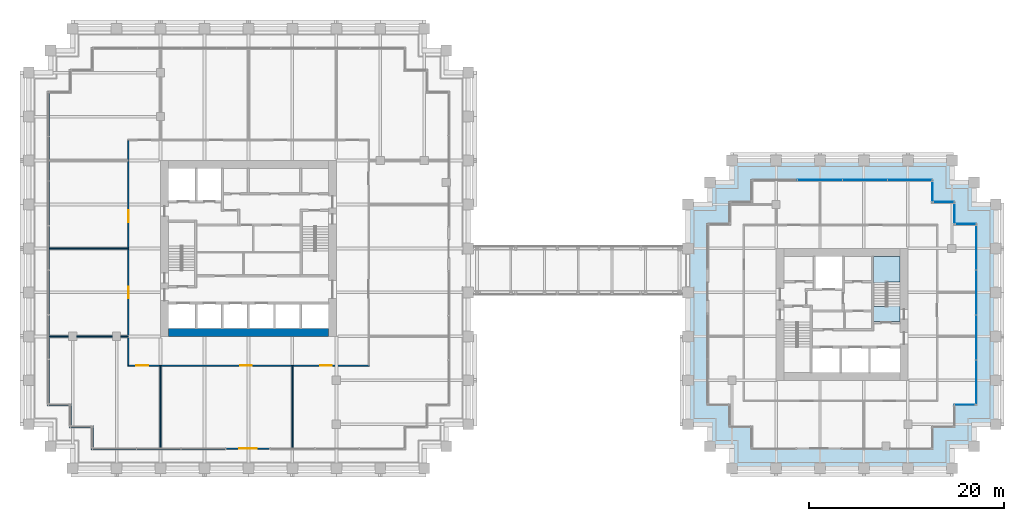
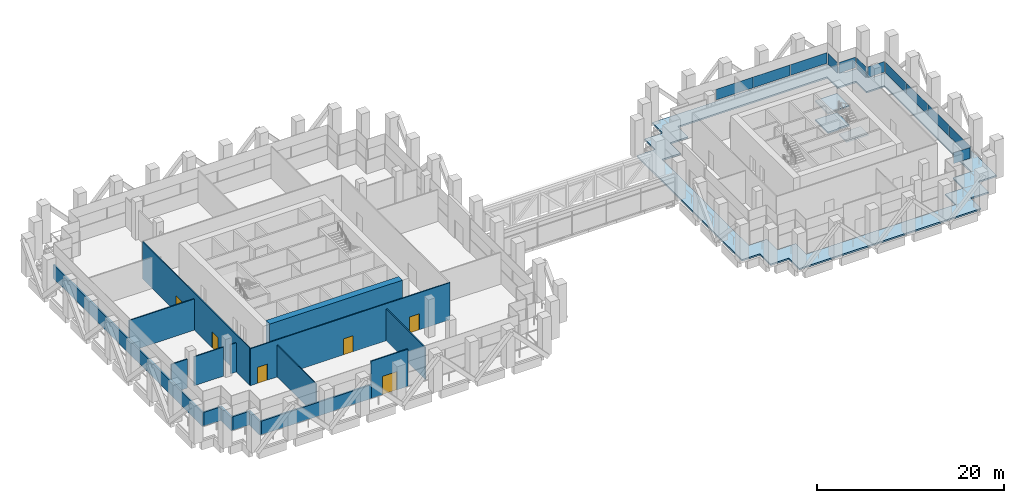
# One storey, part 36 of 44: 16 walls, 12 plates, 6 doors, 4 slabs, 6 openings, 8 elements without a shape of their own.
"""IFC4 building model written with IfcOpenShell, lengths in metres."""

from ifc_helpers import new_model, si_unit, direction, frame, frame_2d, origin, origin_2d, place, context, subcontext, project, spatial, polyline, rectangle, outline, extrude, material, layer, layer_set, type_object, element, fill, aggregate, save


model = new_model("IFC4")

# Units and contexts
model_context = context("Model", 3, precision=1e-05, world=origin(), true_north=direction((0.0, 1.0)))
body_context = subcontext(model_context, "Body", "Model", "MODEL_VIEW")
ifc_project = project(units=[si_unit("LENGTHUNIT", "METRE"), si_unit("AREAUNIT", "SQUARE_METRE"), si_unit("VOLUMEUNIT", "CUBIC_METRE"), si_unit("PLANEANGLEUNIT", "RADIAN"), si_unit("MASSUNIT", "GRAM", prefix="KILO")], contexts=[model_context])

# Site, building, storey
site_placement = place(None, origin())
site = spatial("IfcSite", under=ifc_project, at=site_placement, CompositionType="ELEMENT")
building_placement = place(site_placement, origin())
building = spatial("IfcBuilding", under=site, at=building_placement, Name="Altepetl Exchange Towers", CompositionType="ELEMENT")
storey_placement = place(building_placement, frame((0.0, 0.0, 87.0)))
storey = spatial("IfcBuildingStorey", under=building, at=storey_placement, Name="L21 Refuge", CompositionType="ELEMENT", Elevation=87.0)

# Curtain wall, plate
ifc_material_1 = material(Name="Aluminium 6063-T6 glazing", Category="aluminium")
curtain_wall_type = type_object("IfcCurtainWallType", Name="Refuge slit glazing system", PredefinedType="NOTDEFINED", material=ifc_material_1)
curtain_wall_1_placement = place(storey_placement, origin())
curtain_wall_1 = element("IfcCurtainWall", 1, at=curtain_wall_1_placement, inside=storey, type_object=curtain_wall_type, Name="CW3 run", PredefinedType="NOTDEFINED")
ifc_material_2 = material(Name="Glass 8-20-8 solar control", Category="glass")
ifc_layer_1 = layer(ifc_material_2, 0.035888671875)
ifc_layer_set_1 = layer_set([ifc_layer_1], Name="Glass 8-20-8 solar control")
plate_type = type_object("IfcPlateType", Name="Glass panel 36 double glazed", PredefinedType="CURTAIN_PANEL", material=ifc_layer_set_1)
plate_1_placement = place(storey_placement, frame((122.824951171875, 33.5, 1.800048828125)))
plate_1 = element("IfcPlate", 2, at=plate_1_placement, type_object=plate_type, Name="GP2 panel", PredefinedType="CURTAIN_PANEL", context=body_context, shape_type="SweptSolid", body=[
    extrude(rectangle(XDim=2.030029296875, YDim=0.035888671875, at=origin_2d()), origin(), (0.0, 0.0, 1.0), 1.39990234375),
])
aggregate(curtain_wall_1, [plate_1])

# Curtain wall, plates
curtain_wall_2_placement = place(storey_placement, origin())
curtain_wall_2 = element("IfcCurtainWall", 3, at=curtain_wall_2_placement, inside=storey, type_object=curtain_wall_type, Name="CW3 run", PredefinedType="NOTDEFINED")
plate_2_placement = place(storey_placement, frame((124.0, 35.81494140625, 1.800048828125), z_axis=(0.0, 0.0, 1.0), x_axis=(0.0, 1.0, 0.0)))
plate_2 = element("IfcPlate", 4, at=plate_2_placement, type_object=plate_type, Name="GP2 panel", PredefinedType="CURTAIN_PANEL", context=body_context, shape_type="SweptSolid", body=[
    extrude(rectangle(XDim=4.510009765625, YDim=0.035888671875, at=origin_2d()), origin(), (0.0, 0.0, 1.0), 1.39990234375),
])
plate_3_placement = place(storey_placement, frame((124.0, 40.39990234375, 1.800048828125), z_axis=(0.0, 0.0, 1.0), x_axis=(0.0, 1.0, 0.0)))
plate_3 = element("IfcPlate", 5, at=plate_3_placement, type_object=plate_type, Name="GP2 panel", PredefinedType="CURTAIN_PANEL", context=body_context, shape_type="SweptSolid", body=[
    extrude(rectangle(XDim=4.5400390625, YDim=0.035888671875, at=origin_2d()), origin(), (0.0, 0.0, 1.0), 1.39990234375),
])
plate_4_placement = place(storey_placement, frame((124.0, 45.0, 1.800048828125), z_axis=(0.0, 0.0, 1.0), x_axis=(0.0, 1.0, 0.0)))
plate_4 = element("IfcPlate", 6, at=plate_4_placement, type_object=plate_type, Name="GP2 panel", PredefinedType="CURTAIN_PANEL", context=body_context, shape_type="SweptSolid", body=[
    extrude(rectangle(XDim=4.5400390625, YDim=0.035888671875, at=origin_2d()), origin(), (0.0, 0.0, 1.0), 1.39990234375),
])
plate_5_placement = place(storey_placement, frame((124.0, 49.5849609375, 1.800048828125), z_axis=(0.0, 0.0, 1.0), x_axis=(0.0, 1.0, 0.0)))
plate_5 = element("IfcPlate", 7, at=plate_5_placement, type_object=plate_type, Name="GP2 panel", PredefinedType="CURTAIN_PANEL", context=body_context, shape_type="SweptSolid", body=[
    extrude(rectangle(XDim=4.510009765625, YDim=0.035888671875, at=origin_2d()), origin(), (0.0, 0.0, 1.0), 1.39990234375),
])
aggregate(curtain_wall_2, [plate_2, plate_3, plate_4, plate_5])

# Curtain wall, plate
curtain_wall_3_placement = place(storey_placement, origin())
curtain_wall_3 = element("IfcCurtainWall", 8, at=curtain_wall_3_placement, inside=storey, type_object=curtain_wall_type, Name="CW3 run", PredefinedType="NOTDEFINED")
plate_6_placement = place(storey_placement, frame((122.925048828125, 52.0, 1.800048828125), z_axis=(0.0, 0.0, 1.0), x_axis=(-1.0, 0.0, 0.0)))
plate_6 = element("IfcPlate", 9, at=plate_6_placement, type_object=plate_type, Name="GP2 panel", PredefinedType="CURTAIN_PANEL", context=body_context, shape_type="SweptSolid", body=[
    extrude(rectangle(XDim=2.030029296875, YDim=0.035888671875, at=origin_2d()), origin(), (0.0, 0.0, 1.0), 1.39990234375),
])
aggregate(curtain_wall_3, [plate_6])

curtain_wall_4_placement = place(storey_placement, origin())
curtain_wall_4 = element("IfcCurtainWall", 10, at=curtain_wall_4_placement, inside=storey, type_object=curtain_wall_type, Name="CW3 run", PredefinedType="NOTDEFINED")
plate_7_placement = place(storey_placement, frame((121.75, 53.074951171875, 1.800048828125), z_axis=(0.0, 0.0, 1.0), x_axis=(0.0, 1.0, 0.0)))
plate_7 = element("IfcPlate", 11, at=plate_7_placement, type_object=plate_type, Name="GP2 panel", PredefinedType="CURTAIN_PANEL", context=body_context, shape_type="SweptSolid", body=[
    extrude(rectangle(XDim=2.030029296875, YDim=0.035888671875, at=origin_2d()), origin(), (0.0, 0.0, 1.0), 1.39990234375),
])
aggregate(curtain_wall_4, [plate_7])

curtain_wall_5_placement = place(storey_placement, origin())
curtain_wall_5 = element("IfcCurtainWall", 12, at=curtain_wall_5_placement, inside=storey, type_object=curtain_wall_type, Name="CW3 run", PredefinedType="NOTDEFINED")
plate_8_placement = place(storey_placement, frame((120.675048828125, 54.25, 1.800048828125), z_axis=(0.0, 0.0, 1.0), x_axis=(-1.0, 0.0, 0.0)))
plate_8 = element("IfcPlate", 13, at=plate_8_placement, type_object=plate_type, Name="GP2 panel", PredefinedType="CURTAIN_PANEL", context=body_context, shape_type="SweptSolid", body=[
    extrude(rectangle(XDim=2.030029296875, YDim=0.035888671875, at=origin_2d()), origin(), (0.0, 0.0, 1.0), 1.39990234375),
])
aggregate(curtain_wall_5, [plate_8])

curtain_wall_6_placement = place(storey_placement, origin())
curtain_wall_6 = element("IfcCurtainWall", 14, at=curtain_wall_6_placement, inside=storey, type_object=curtain_wall_type, Name="CW3 run", PredefinedType="NOTDEFINED")
plate_9_placement = place(storey_placement, frame((119.5, 55.324951171875, 1.800048828125), z_axis=(0.0, 0.0, 1.0), x_axis=(0.0, 1.0, 0.0)))
plate_9 = element("IfcPlate", 15, at=plate_9_placement, type_object=plate_type, Name="GP2 panel", PredefinedType="CURTAIN_PANEL", context=body_context, shape_type="SweptSolid", body=[
    extrude(rectangle(XDim=2.030029296875, YDim=0.035888671875, at=origin_2d()), origin(), (0.0, 0.0, 1.0), 1.39990234375),
])
aggregate(curtain_wall_6, [plate_9])

# Curtain wall, plates
curtain_wall_7_placement = place(storey_placement, origin())
curtain_wall_7 = element("IfcCurtainWall", 16, at=curtain_wall_7_placement, inside=storey, type_object=curtain_wall_type, Name="CW3 run", PredefinedType="NOTDEFINED")
plate_10_placement = place(storey_placement, frame((117.18505859375, 56.5, 1.800048828125), z_axis=(0.0, 0.0, 1.0), x_axis=(-1.0, 0.0, 0.0)))
plate_10 = element("IfcPlate", 17, at=plate_10_placement, type_object=plate_type, Name="GP2 panel", PredefinedType="CURTAIN_PANEL", context=body_context, shape_type="SweptSolid", body=[
    extrude(rectangle(XDim=4.510009765625, YDim=0.035888671875, at=origin_2d()), origin(), (0.0, 0.0, 1.0), 1.39990234375),
])
plate_11_placement = place(storey_placement, frame((112.60009765625, 56.5, 1.800048828125), z_axis=(0.0, 0.0, 1.0), x_axis=(-1.0, 0.0, 0.0)))
plate_11 = element("IfcPlate", 18, at=plate_11_placement, type_object=plate_type, Name="GP2 panel", PredefinedType="CURTAIN_PANEL", context=body_context, shape_type="SweptSolid", body=[
    extrude(rectangle(XDim=4.5400390625, YDim=0.035888671875, at=origin_2d()), origin(), (0.0, 0.0, 1.0), 1.39990234375),
])
plate_12_placement = place(storey_placement, frame((108.0, 56.5, 1.800048828125), z_axis=(0.0, 0.0, 1.0), x_axis=(-1.0, 0.0, 0.0)))
plate_12 = element("IfcPlate", 19, at=plate_12_placement, type_object=plate_type, Name="GP2 panel", PredefinedType="CURTAIN_PANEL", context=body_context, shape_type="SweptSolid", body=[
    extrude(rectangle(XDim=4.5400390625, YDim=0.035888671875, at=origin_2d()), origin(), (0.0, 0.0, 1.0), 1.39990234375),
])
aggregate(curtain_wall_7, [plate_10, plate_11, plate_12])

# Slab
ifc_material_3 = material(Name="Concrete C40/50", Category="concrete")
ifc_layer_2 = layer(ifc_material_3, 0.199951171875)
ifc_layer_set_2 = layer_set([ifc_layer_2], Name="Concrete C40/50")
slab_type_1 = type_object("IfcSlabType", Name="Loggia slab 200", PredefinedType="FLOOR", material=ifc_layer_set_2)
slab_1_placement = place(storey_placement, frame((0.0, 0.0, -0.199951171875)))
element("IfcSlab", 20, at=slab_1_placement, inside=storey, type_object=slab_type_1, Name="slab:B:L21:loggia0", PredefinedType="FLOOR", context=body_context, shape_type="SweptSolid", body=[
    extrude(outline(polyline([(96.75, 54.0), (94.5, 54.0), (94.5, 36.0), (94.5, 31.5), (96.75, 31.5), (96.75, 29.25), (99.0, 29.25), (99.0, 27.0), (117.0, 27.0), (121.5, 27.0), (121.5, 29.25), (123.75, 29.25), (123.75, 31.5), (126.0, 31.5), (126.0, 49.5), (126.0, 54.0), (123.75, 54.0), (123.75, 56.25), (121.5, 56.25), (121.5, 58.5), (103.5, 58.5), (99.0, 58.5), (99.0, 56.25), (96.75, 56.25), (96.75, 54.0)]), holes=[polyline([(96.5, 52.0), (98.75, 52.0), (98.75, 54.25), (101.0, 54.25), (101.0, 56.5), (119.5, 56.5), (119.5, 54.25), (121.75, 54.25), (121.75, 52.0), (124.0, 52.0), (124.0, 33.5), (121.75, 33.5), (121.75, 31.25), (119.5, 31.25), (119.5, 29.0), (101.0, 29.0), (101.0, 31.25), (98.75, 31.25), (98.75, 33.5), (96.5, 33.5), (96.5, 52.0)])]), origin(), (0.0, 0.0, 1.0), 0.199951171875),
])

# Stair, slabs
stair_type = type_object("IfcStairType", Name="Exit stair 1300 flights dogleg", PredefinedType="HALF_TURN_STAIR", material=ifc_material_3)
stair_placement = place(storey_placement, origin())
stair = element("IfcStair", 21, at=stair_placement, inside=storey, type_object=stair_type, Name="Exit stair 2", PredefinedType="HALF_TURN_STAIR")
ifc_layer_3 = layer(ifc_material_3, 0.199951171875)
ifc_layer_set_3 = layer_set([ifc_layer_3], Name="Concrete C40/50")
slab_type_2 = type_object("IfcSlabType", Name="Stair landing 200 reinforced concrete", PredefinedType="LANDING", material=ifc_layer_set_3)
slab_2_placement = place(storey_placement, frame((0.0, 0.0, 1.050048828125)))
slab_2 = element("IfcSlab", 22, at=slab_2_placement, type_object=slab_type_2, Name="ST-B2c landing 1", PredefinedType="LANDING", context=body_context, shape_type="SweptSolid", body=[
    extrude(outline(polyline([(114.800048828125, 45.969970703125), (113.5, 45.969970703125), (113.5, 46.070068359375), (113.5, 48.699951171875), (116.199951171875, 48.699951171875), (116.199951171875, 46.070068359375), (116.199951171875, 46.0693359375), (114.89990234375, 46.0693359375), (114.89990234375, 46.070068359375), (114.800048828125, 46.070068359375), (114.800048828125, 45.969970703125)])), origin(), (0.0, 0.0, 1.0), 0.199951171875),
])
slab_3_placement = place(storey_placement, frame((0.0, 0.0, 2.300048828125)))
slab_3 = element("IfcSlab", 23, at=slab_3_placement, type_object=slab_type_2, Name="ST-B2c landing 2", PredefinedType="LANDING", context=body_context, shape_type="SweptSolid", body=[
    extrude(outline(polyline([(116.199951171875, 42.0), (113.5, 42.0), (113.5, 43.550048828125), (113.5, 43.55078125), (114.800048828125, 43.55078125), (114.800048828125, 43.550048828125), (114.89990234375, 43.550048828125), (114.89990234375, 43.64990234375), (116.199951171875, 43.64990234375), (116.199951171875, 43.550048828125), (116.199951171875, 42.0)])), origin(), (0.0, 0.0, 1.0), 0.199951171875),
])
slab_4_placement = place(storey_placement, frame((0.0, 0.0, 3.550048828125)))
slab_4 = element("IfcSlab", 24, at=slab_4_placement, type_object=slab_type_2, Name="ST-B2c landing 3", PredefinedType="LANDING", context=body_context, shape_type="SweptSolid", body=[
    extrude(outline(polyline([(114.800048828125, 45.969970703125), (113.5, 45.969970703125), (113.5, 46.070068359375), (113.5, 48.699951171875), (116.199951171875, 48.699951171875), (116.199951171875, 46.070068359375), (116.199951171875, 46.0693359375), (114.89990234375, 46.0693359375), (114.89990234375, 46.070068359375), (114.800048828125, 46.070068359375), (114.800048828125, 45.969970703125)])), origin(), (0.0, 0.0, 1.0), 0.199951171875),
])
aggregate(stair, [slab_2, slab_3, slab_4])

# Wall
ifc_material_4 = material(Name="Concrete C70/85", Category="concrete")
ifc_layer_4 = layer(ifc_material_4, 0.800048828125)
ifc_layer_set_4 = layer_set([ifc_layer_4], Name="Concrete C70/85")
wall_type_1 = type_object("IfcWallType", Name="Core wall 800 reinforced concrete", PredefinedType="SHEAR", material=ifc_layer_set_4)
wall_1_placement = place(storey_placement, frame((41.300048828125, 40.89990234375, 0.0)))
element("IfcWall", 25, at=wall_1_placement, inside=storey, type_object=wall_type_1, Name="wall:A:L21:K-coreS", PredefinedType="SHEAR", context=body_context, shape_type="SweptSolid", body=[
    extrude(rectangle(XDim=16.39990234375, YDim=0.800048828125, at=frame_2d((8.199951171875, 0.0))), origin(), (0.0, 0.0, 1.0), 4.75),
])

# Wall, opening, door
ifc_material_5 = material(Name="Aluminium composite cladding", Category="aluminium")
ifc_layer_5 = layer(ifc_material_5, 0.14990234375)
ifc_layer_set_5 = layer_set([ifc_layer_5], Name="Aluminium composite cladding")
wall_type_2 = type_object("IfcWallType", Name="Infill wall 150 aluminium panel", PredefinedType="SOLIDWALL", material=ifc_layer_set_5)
wall_2_placement = place(storey_placement, frame((47.17138671875, 29.0, 0.0)))
wall_2 = element("IfcWall", 26, at=wall_2_placement, inside=storey, type_object=wall_type_2, Name="Loggia door bay wall", PredefinedType="SOLIDWALL", context=body_context, shape_type="SweptSolid", body=[
    extrude(rectangle(XDim=4.55712890625, YDim=0.14990234375, at=frame_2d((2.278564453125, 0.0))), origin(), (0.0, 0.0, 1.0), 4.85009765625),
])
opening_1_placement = place(wall_2_placement, frame((1.378662109375, 0.0, 0.0)))
opening_1 = element("IfcOpeningElement", 27, at=opening_1_placement, cuts=wall_2, Name="Opening L21.A90", PredefinedType="OPENING", context=body_context, shape_type="SweptSolid", body=[
    extrude(rectangle(XDim=1.800048828125, YDim=2.39990234375, at=frame_2d((0.89990234375, 1.199951171875))), frame((0.0, 0.0849609375, 0.0), z_axis=(0.0, -1.0, 0.0), x_axis=(1.0, 0.0, 0.0)), (0.0, 0.0, 1.0), 0.169921875),
])
ifc_material_6 = material(Name="Aluminium 6063-T6 and glass", Category="aluminium")
door_type_1 = type_object("IfcDoorType", Name="Glazed door pair 1800x2400", OperationType="DOUBLE_DOOR_DOUBLE_SWING", PredefinedType="NOTDEFINED", material=ifc_material_6)
door_1_placement = place(opening_1_placement, frame((1.800048828125, 0.0, 0.0), x_axis=(-1.0, 0.0, 0.0)))
door_1 = element("IfcDoor", 28, at=door_1_placement, inside=storey, type_object=door_type_1, Name="Loggia door", OperationType="DOUBLE_DOOR_DOUBLE_SWING", OverallHeight=2.39990234375, OverallWidth=1.800048828125, PredefinedType="NOTDEFINED", context=body_context, shape_type="SweptSolid", body=[
    extrude(rectangle(XDim=1.800048828125, YDim=2.39990234375, at=frame_2d((0.89990234375, 1.199951171875))), frame((0.0, 0.02490234375, 0.0), z_axis=(0.0, -1.0, 0.0), x_axis=(1.0, 0.0, 0.0)), (0.0, 0.0, 1.0), 0.050048828125),
])
fill(opening_1, door_1)

# Wall, openings, doors
ifc_material_7 = material(Name="Gypsum board on steel studs", Category="steel")
ifc_layer_6 = layer(ifc_material_7, 0.125)
ifc_layer_set_6 = layer_set([ifc_layer_6], Name="Gypsum board on steel studs")
wall_type_3 = type_object("IfcWallType", Name="Partition 125 gypsum board on steel studs", PredefinedType="PARTITIONING", material=ifc_layer_set_6)
wall_3_placement = place(storey_placement, frame((37.137451171875, 37.5, 0.0)))
wall_3 = element("IfcWall", 29, at=wall_3_placement, inside=storey, type_object=wall_type_3, Name="wall:A:L21:P01", PredefinedType="PARTITIONING", context=body_context, shape_type="SweptSolid", body=[
    extrude(rectangle(XDim=24.72509765625, YDim=0.125, at=frame_2d((12.362548828125, 0.0))), origin(), (0.0, 0.0, 1.0), 4.85009765625),
])
opening_2_placement = place(wall_3_placement, frame((0.902587890625, 0.0, 0.0)))
opening_2 = element("IfcOpeningElement", 30, at=opening_2_placement, cuts=wall_3, Name="Opening L21.A02", PredefinedType="OPENING", context=body_context, shape_type="SweptSolid", body=[
    extrude(rectangle(XDim=1.199951171875, YDim=2.10009765625, at=frame_2d((0.60009765625, 1.050048828125))), frame((0.0, 0.072509765625, 0.0), z_axis=(0.0, -1.0, 0.0), x_axis=(1.0, 0.0, 0.0)), (0.0, 0.0, 1.0), 0.14501953125),
])
opening_3_placement = place(wall_3_placement, frame((11.507568359375, 0.0, 0.0)))
opening_3 = element("IfcOpeningElement", 31, at=opening_3_placement, cuts=wall_3, Name="Opening L21.A03", PredefinedType="OPENING", context=body_context, shape_type="SweptSolid", body=[
    extrude(rectangle(XDim=1.199951171875, YDim=2.10009765625, at=frame_2d((0.60009765625, 1.050048828125))), frame((0.0, 0.072509765625, 0.0), z_axis=(0.0, -1.0, 0.0), x_axis=(1.0, 0.0, 0.0)), (0.0, 0.0, 1.0), 0.14501953125),
])
opening_4_placement = place(wall_3_placement, frame((19.71240234375, 0.0, 0.0)))
opening_4 = element("IfcOpeningElement", 32, at=opening_4_placement, cuts=wall_3, Name="Opening L21.A04", PredefinedType="OPENING", context=body_context, shape_type="SweptSolid", body=[
    extrude(rectangle(XDim=1.199951171875, YDim=2.10009765625, at=frame_2d((0.60009765625, 1.050048828125))), frame((0.0, 0.072509765625, 0.0), z_axis=(0.0, -1.0, 0.0), x_axis=(1.0, 0.0, 0.0)), (0.0, 0.0, 1.0), 0.14501953125),
])
ifc_material_8 = material(Name="Steel and timber fire door", Category="steel")
door_type_2 = type_object("IfcDoorType", Name="Fire door 1200 x 2100 plant and refuge", OperationType="SINGLE_SWING_LEFT", PredefinedType="DOOR", material=ifc_material_8)
door_2_placement = place(opening_2_placement, frame((1.199951171875, 0.0, 0.0), x_axis=(-1.0, 0.0, 0.0)))
door_2 = element("IfcDoor", 33, at=door_2_placement, inside=storey, type_object=door_type_2, Name="door:A:L21:02", OperationType="SINGLE_SWING_RIGHT", OverallHeight=2.10009765625, OverallWidth=1.199951171875, PredefinedType="DOOR", context=body_context, shape_type="SweptSolid", body=[
    extrude(rectangle(XDim=1.199951171875, YDim=2.10009765625, at=frame_2d((0.60009765625, 1.050048828125))), frame((0.0, 0.02490234375, 0.0), z_axis=(0.0, -1.0, 0.0), x_axis=(1.0, 0.0, 0.0)), (0.0, 0.0, 1.0), 0.050048828125),
])
fill(opening_2, door_2)
door_3_placement = place(opening_3_placement, frame((1.199951171875, 0.0, 0.0), x_axis=(-1.0, 0.0, 0.0)))
door_3 = element("IfcDoor", 34, at=door_3_placement, inside=storey, type_object=door_type_2, Name="door:A:L21:03", OperationType="SINGLE_SWING_RIGHT", OverallHeight=2.10009765625, OverallWidth=1.199951171875, PredefinedType="DOOR", context=body_context, shape_type="SweptSolid", body=[
    extrude(rectangle(XDim=1.199951171875, YDim=2.10009765625, at=frame_2d((0.60009765625, 1.050048828125))), frame((0.0, 0.02490234375, 0.0), z_axis=(0.0, -1.0, 0.0), x_axis=(1.0, 0.0, 0.0)), (0.0, 0.0, 1.0), 0.050048828125),
])
fill(opening_3, door_3)
door_4_placement = place(opening_4_placement, frame((1.199951171875, 0.0, 0.0), x_axis=(-1.0, 0.0, 0.0)))
door_4 = element("IfcDoor", 35, at=door_4_placement, inside=storey, type_object=door_type_2, Name="door:A:L21:04", OperationType="SINGLE_SWING_RIGHT", OverallHeight=2.10009765625, OverallWidth=1.199951171875, PredefinedType="DOOR", context=body_context, shape_type="SweptSolid", body=[
    extrude(rectangle(XDim=1.199951171875, YDim=2.10009765625, at=frame_2d((0.60009765625, 1.050048828125))), frame((0.0, 0.02490234375, 0.0), z_axis=(0.0, -1.0, 0.0), x_axis=(1.0, 0.0, 0.0)), (0.0, 0.0, 1.0), 0.050048828125),
])
fill(opening_4, door_4)

# Walls
wall_4_placement = place(storey_placement, frame((29.10009765625, 40.5, 0.0)))
element("IfcWall", 36, at=wall_4_placement, inside=storey, type_object=wall_type_3, Name="wall:A:L21:P02", PredefinedType="PARTITIONING", context=body_context, shape_type="SweptSolid", body=[
    extrude(rectangle(XDim=1.974853515625, YDim=0.125, at=frame_2d((0.9873046875, 0.0))), origin(), (0.0, 0.0, 1.0), 3.800048828125),
])
wall_5_placement = place(storey_placement, frame((31.925048828125, 40.5, 0.0)))
element("IfcWall", 37, at=wall_5_placement, inside=storey, type_object=wall_type_3, Name="wall:A:L21:P03", PredefinedType="PARTITIONING", context=body_context, shape_type="SweptSolid", body=[
    extrude(rectangle(XDim=3.64990234375, YDim=0.125, at=frame_2d((1.824951171875, 0.0))), origin(), (0.0, 0.0, 1.0), 3.800048828125),
])
wall_6_placement = place(storey_placement, frame((36.425048828125, 40.5, 0.0)))
element("IfcWall", 38, at=wall_6_placement, inside=storey, type_object=wall_type_3, Name="wall:A:L21:P04", PredefinedType="PARTITIONING", context=body_context, shape_type="SweptSolid", body=[
    extrude(rectangle(XDim=0.77490234375, YDim=0.125, at=frame_2d((0.387451171875, 0.0))), origin(), (0.0, 0.0, 1.0), 3.800048828125),
])
wall_7_placement = place(storey_placement, frame((29.10009765625, 49.5, 0.0)))
element("IfcWall", 39, at=wall_7_placement, inside=storey, type_object=wall_type_3, Name="wall:A:L21:P06", PredefinedType="PARTITIONING", context=body_context, shape_type="SweptSolid", body=[
    extrude(rectangle(XDim=8.099853515625, YDim=0.125, at=frame_2d((4.0498046875, 0.0))), origin(), (0.0, 0.0, 1.0), 4.075927734375),
])

# Wall, openings, doors
wall_8_placement = place(storey_placement, frame((37.199951171875, 37.5625, 0.0), z_axis=(0.0, 0.0, 1.0), x_axis=(0.0, 1.0, 0.0)))
wall_8 = element("IfcWall", 40, at=wall_8_placement, inside=storey, type_object=wall_type_3, Name="wall:A:L21:P13", PredefinedType="PARTITIONING", context=body_context, shape_type="SweptSolid", body=[
    extrude(rectangle(XDim=22.97509765625, YDim=0.125, at=frame_2d((11.487548828125, 0.0))), origin(), (0.0, 0.0, 1.0), 4.85009765625),
])
opening_5_placement = place(wall_8_placement, frame((6.83740234375, 0.0, 0.0)))
opening_5 = element("IfcOpeningElement", 41, at=opening_5_placement, cuts=wall_8, Name="Opening L21.A01", PredefinedType="OPENING", context=body_context, shape_type="SweptSolid", body=[
    extrude(rectangle(XDim=1.199951171875, YDim=2.10009765625, at=frame_2d((0.60009765625, 1.050048828125))), frame((0.0, 0.072509765625, 0.0), z_axis=(0.0, -1.0, 0.0), x_axis=(1.0, 0.0, 0.0)), (0.0, 0.0, 1.0), 0.14501953125),
])
opening_6_placement = place(wall_8_placement, frame((14.62939453125, 0.0, 0.0)))
opening_6 = element("IfcOpeningElement", 42, at=opening_6_placement, cuts=wall_8, Name="Opening L21.A11", PredefinedType="OPENING", context=body_context, shape_type="SweptSolid", body=[
    extrude(rectangle(XDim=1.199951171875, YDim=2.10009765625, at=frame_2d((0.60009765625, 1.050048828125))), frame((0.0, 0.072509765625, 0.0), z_axis=(0.0, -1.0, 0.0), x_axis=(1.0, 0.0, 0.0)), (0.0, 0.0, 1.0), 0.14501953125),
])
door_5_placement = place(opening_5_placement, origin())
door_5 = element("IfcDoor", 43, at=door_5_placement, inside=storey, type_object=door_type_2, Name="door:A:L21:01", OperationType="SINGLE_SWING_RIGHT", OverallHeight=2.10009765625, OverallWidth=1.199951171875, PredefinedType="DOOR", context=body_context, shape_type="SweptSolid", body=[
    extrude(rectangle(XDim=1.199951171875, YDim=2.10009765625, at=frame_2d((0.60009765625, 1.050048828125))), frame((0.0, 0.02490234375, 0.0), z_axis=(0.0, -1.0, 0.0), x_axis=(1.0, 0.0, 0.0)), (0.0, 0.0, 1.0), 0.050048828125),
])
fill(opening_5, door_5)
door_6_placement = place(opening_6_placement, origin())
door_6 = element("IfcDoor", 44, at=door_6_placement, inside=storey, type_object=door_type_2, Name="door:A:L21:11", OperationType="SINGLE_SWING_LEFT", OverallHeight=2.10009765625, OverallWidth=1.199951171875, PredefinedType="DOOR", context=body_context, shape_type="SweptSolid", body=[
    extrude(rectangle(XDim=1.199951171875, YDim=2.10009765625, at=frame_2d((0.60009765625, 1.050048828125))), frame((0.0, 0.02490234375, 0.0), z_axis=(0.0, -1.0, 0.0), x_axis=(1.0, 0.0, 0.0)), (0.0, 0.0, 1.0), 0.050048828125),
])
fill(opening_6, door_6)

# Walls
for number, where, z_axis, x_axis, name in (
    (45, (40.5, 29.10009765625, 0.0), (0.0, 0.0, 1.0), (0.0, 1.0, 0.0), "wall:A:L21:P14"),
    (46, (54.0, 29.10009765625, 0.0), (0.0, 0.0, 1.0), (0.0, 1.0, 0.0), "wall:A:L21:P19"),
):
    element("IfcWall", number, at=place(storey_placement, frame(where, z_axis=z_axis, x_axis=x_axis)), inside=storey, type_object=wall_type_3, Name=name, PredefinedType="PARTITIONING", context=body_context, shape_type="SweptSolid", body=[
        extrude(rectangle(XDim=8.39990234375, YDim=0.125, at=frame_2d((4.199951171875, 0.0))), origin(), (0.0, 0.0, 1.0), 4.166015625),
    ])
ifc_material_9 = material(Name="Cantera limestone cladding", Category="masonry")
ifc_layer_7 = layer(ifc_material_9, 0.199951171875)
ifc_layer_set_7 = layer_set([ifc_layer_7], Name="Cantera limestone cladding")
wall_type_4 = type_object("IfcWallType", Name="Refuge stone wall 200", PredefinedType="ELEMENTEDWALL", material=ifc_layer_set_7)
wall_9_placement = place(storey_placement, frame((29.0, 65.39990234375, 0.0), z_axis=(0.0, 0.0, 1.0), x_axis=(0.0, -1.0, 0.0)))
element("IfcWall", 47, at=wall_9_placement, inside=storey, type_object=wall_type_4, Name="Refuge stone wall", PredefinedType="ELEMENTEDWALL", context=body_context, shape_type="SweptSolid", body=[
    extrude(rectangle(XDim=32.0, YDim=0.199951171875, at=frame_2d((16.0, 0.0))), origin(), (0.0, 0.0, 1.0), 1.800048828125),
])
wall_10_placement = place(storey_placement, frame((29.10009765625, 33.5, 0.0)))
element("IfcWall", 48, at=wall_10_placement, inside=storey, type_object=wall_type_4, Name="Refuge stone wall", PredefinedType="ELEMENTEDWALL", context=body_context, shape_type="SweptSolid", body=[
    extrude(rectangle(XDim=2.25, YDim=0.199951171875, at=frame_2d((1.125, 0.0))), origin(), (0.0, 0.0, 1.0), 1.800048828125),
])
wall_11_placement = place(storey_placement, frame((31.25, 33.39990234375, 0.0), z_axis=(0.0, 0.0, 1.0), x_axis=(0.0, -1.0, 0.0)))
element("IfcWall", 49, at=wall_11_placement, inside=storey, type_object=wall_type_4, Name="Refuge stone wall", PredefinedType="ELEMENTEDWALL", context=body_context, shape_type="SweptSolid", body=[
    extrude(rectangle(XDim=2.25, YDim=0.199951171875, at=frame_2d((1.125, 0.0))), origin(), (0.0, 0.0, 1.0), 1.800048828125),
])
wall_12_placement = place(storey_placement, frame((31.35009765625, 31.25, 0.0)))
element("IfcWall", 50, at=wall_12_placement, inside=storey, type_object=wall_type_4, Name="Refuge stone wall", PredefinedType="ELEMENTEDWALL", context=body_context, shape_type="SweptSolid", body=[
    extrude(rectangle(XDim=2.25, YDim=0.199951171875, at=frame_2d((1.125, 0.0))), origin(), (0.0, 0.0, 1.0), 1.800048828125),
])
wall_13_placement = place(storey_placement, frame((33.5, 31.14990234375, 0.0), z_axis=(0.0, 0.0, 1.0), x_axis=(0.0, -1.0, 0.0)))
element("IfcWall", 51, at=wall_13_placement, inside=storey, type_object=wall_type_4, Name="Refuge stone wall", PredefinedType="ELEMENTEDWALL", context=body_context, shape_type="SweptSolid", body=[
    extrude(rectangle(XDim=2.25, YDim=0.199951171875, at=frame_2d((1.125, 0.0))), origin(), (0.0, 0.0, 1.0), 1.800048828125),
])
wall_14_placement = place(storey_placement, frame((33.60009765625, 29.0, 0.0)))
element("IfcWall", 52, at=wall_14_placement, inside=storey, type_object=wall_type_4, Name="Refuge stone wall", PredefinedType="ELEMENTEDWALL", context=body_context, shape_type="SweptSolid", body=[
    extrude(rectangle(XDim=13.5712890625, YDim=0.199951171875, at=frame_2d((6.78564453125, 0.0))), origin(), (0.0, 0.0, 1.0), 1.800048828125),
])

save(model, "model.ifc")
